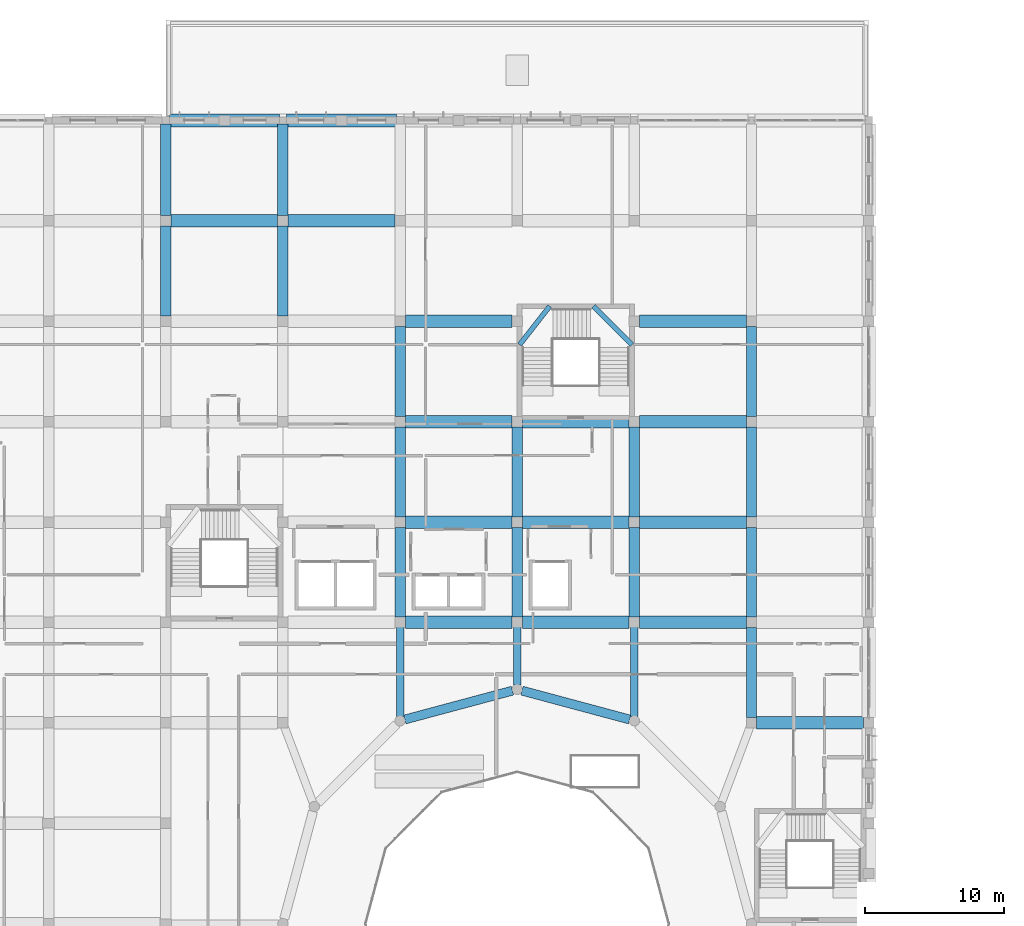
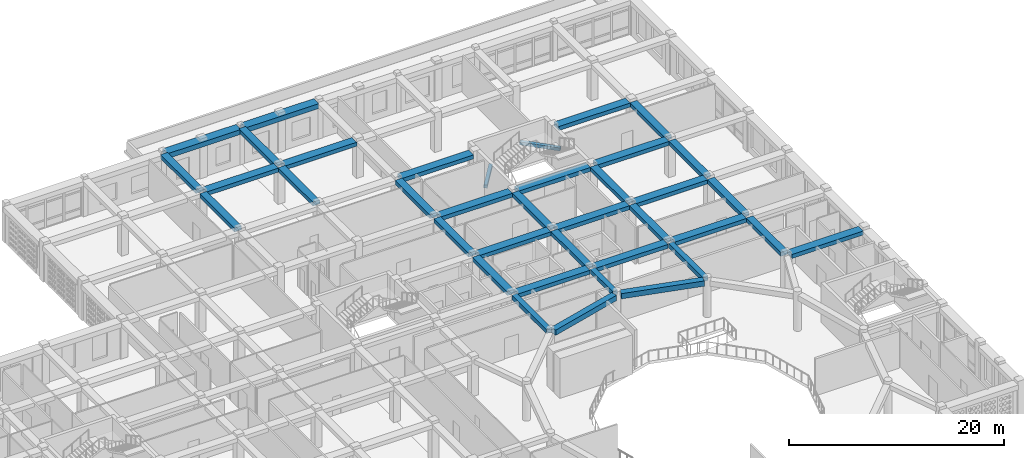
# One storey, part 36 of 111: 38 beams.
"""IFC4 building model written with IfcOpenShell, lengths in metres."""

from ifc_helpers import new_model, si_unit, derived_unit, direction, frame, origin, origin_2d, place, context, subcontext, project, spatial, rectangle, extrude, material, material_profile, profile_set, type_object, element, save


model = new_model("IFC4")

# Units and contexts
model_context = context("Model", 3, precision=1e-05, world=origin(), true_north=direction((0.0, 1.0)))
body_context = subcontext(model_context, "Body", "Model", "MODEL_VIEW")
ifc_project = project(units=[si_unit("LENGTHUNIT", "METRE"), si_unit("AREAUNIT", "SQUARE_METRE"), si_unit("VOLUMEUNIT", "CUBIC_METRE"), si_unit("PLANEANGLEUNIT", "RADIAN"), si_unit("MASSUNIT", "GRAM", prefix="KILO"), derived_unit("THERMALTRANSMITTANCEUNIT", [(si_unit("POWERUNIT", "WATT"), 1), (si_unit("LENGTHUNIT", "METRE"), -2), (si_unit("THERMODYNAMICTEMPERATUREUNIT", "KELVIN"), -1)])], contexts=[model_context])

# Site, building, storey
site_placement = place(None, origin())
site = spatial("IfcSite", under=ifc_project, at=site_placement, CompositionType="ELEMENT")
building_placement = place(site_placement, origin())
building = spatial("IfcBuilding", under=site, at=building_placement, Name="Veybourne Emporium", CompositionType="ELEMENT")
storey_placement = place(building_placement, frame((0.0, 0.0, 9.89990234375)))
storey = spatial("IfcBuildingStorey", under=building, at=storey_placement, Name="L02", CompositionType="ELEMENT", Elevation=9.89990234375)

# Beams
ifc_material = material(Name="Concrete C32/40", Category="concrete")
ifc_material_profile_1 = material_profile(ifc_material, rectangle(XDim=0.35009765625, YDim=0.35009765625, at=origin_2d()), Name="RC 350x350")
ifc_profile_set_1 = profile_set([ifc_material_profile_1], Name="Concrete C32/40")
beam_type_1 = type_object("IfcBeamType", Name="LandingBeam_LB-01", PredefinedType="BEAM", material=ifc_profile_set_1)
beam_1_placement = place(storey_placement, frame((75.77490234375, 91.919921875, 1.125), z_axis=(0.616103103005, 0.787665516871, 0.0), x_axis=(-0.787665516871, 0.616103103005, 0.0)))
element("IfcBeam", 1, at=beam_1_placement, inside=storey, type_object=beam_type_1, Name="L02 ST-04 landing 1 support beam", PredefinedType="BEAM", context=body_context, shape_type="SweptSolid", body=[
    extrude(rectangle(XDim=0.35009765625, YDim=0.35009765625, at=origin_2d()), origin(), (0.0, 0.0, 1.0), 3.497802734375),
])
beam_2_placement = place(storey_placement, frame((81.070068359375, 94.675048828125, 2.625), z_axis=(0.707075449606, -0.707138111379, 0.0), x_axis=(0.707138111379, 0.707075449606, 0.0)))
element("IfcBeam", 2, at=beam_2_placement, inside=storey, type_object=beam_type_1, Name="L02 ST-04 landing 2 support beam", PredefinedType="BEAM", context=body_context, shape_type="SweptSolid", body=[
    extrude(rectangle(XDim=0.35009765625, YDim=0.35009765625, at=origin_2d()), origin(), (0.0, 0.0, 1.0), 3.896240234375),
])
ifc_material_profile_2 = material_profile(ifc_material, rectangle(XDim=0.89990234375, YDim=0.449951171875, at=origin_2d()), Name="RC 900x450")
ifc_profile_set_2 = profile_set([ifc_material_profile_2], Name="Concrete C32/40")
beam_type_2 = type_object("IfcBeamType", Name="RCBeam_BB-03", PredefinedType="BEAM", material=ifc_profile_set_2)
beam_3_placement = place(storey_placement, frame((50.77490234375, 100.800048828125, 3.955078125), z_axis=(1.0, 0.0, 0.0), x_axis=(0.0, 1.0, 0.0)))
element("IfcBeam", 3, at=beam_3_placement, inside=storey, type_object=beam_type_2, Name="L02 X-grid beam BB-03 (6,14)", PredefinedType="BEAM", context=body_context, shape_type="SweptSolid", body=[
    extrude(rectangle(XDim=0.89990234375, YDim=0.449951171875, at=origin_2d()), origin(), (0.0, 0.0, 1.0), 7.650146484375),
])
beam_4_placement = place(storey_placement, frame((59.175048828125, 100.800048828125, 3.955078125), z_axis=(1.0, 0.0, 0.0), x_axis=(0.0, 1.0, 0.0)))
element("IfcBeam", 4, at=beam_4_placement, inside=storey, type_object=beam_type_2, Name="L02 X-grid beam BB-03 (7,14)", PredefinedType="BEAM", context=body_context, shape_type="SweptSolid", body=[
    extrude(rectangle(XDim=0.89990234375, YDim=0.449951171875, at=origin_2d()), origin(), (0.0, 0.0, 1.0), 7.64990234375),
])
for number, where, z_axis, x_axis, name in (
    (5, (67.574951171875, 72.0, 3.955078125), (1.0, 0.0, 0.0), (0.0, 1.0, 0.0), "L02 X-grid beam BB-03 (8,10)"),
    (6, (67.574951171875, 79.199951171875, 3.955078125), (1.0, 0.0, 0.0), (0.0, 1.0, 0.0), "L02 X-grid beam BB-03 (8,11)"),
    (7, (67.574951171875, 86.39990234375, 3.955078125), (1.0, 0.0, 0.0), (0.0, 1.0, 0.0), "L02 X-grid beam BB-03 (8,12)"),
    (8, (67.574951171875, 93.60009765625, 3.955078125), (1.0, 0.0, 0.0), (0.0, 1.0, 0.0), "L02 X-grid beam BB-03 (8,13)"),
):
    element("IfcBeam", number, at=place(storey_placement, frame(where, z_axis=z_axis, x_axis=x_axis)), inside=storey, type_object=beam_type_2, Name=name, PredefinedType="BEAM", context=body_context, shape_type="SweptSolid", body=[
        extrude(rectangle(XDim=0.89990234375, YDim=0.449951171875, at=origin_2d()), origin(), (0.0, 0.0, 1.0), 7.650146484375),
    ])
for number, where, z_axis, x_axis, name in (
    (9, (75.97509765625, 72.0, 3.955078125), (1.0, 0.0, 0.0), (0.0, 1.0, 0.0), "L02 X-grid beam BB-03 (9,10)"),
    (10, (75.97509765625, 79.199951171875, 3.955078125), (1.0, 0.0, 0.0), (0.0, 1.0, 0.0), "L02 X-grid beam BB-03 (9,11)"),
    (11, (75.97509765625, 86.39990234375, 3.955078125), (1.0, 0.0, 0.0), (0.0, 1.0, 0.0), "L02 X-grid beam BB-03 (9,12)"),
    (12, (84.375, 72.0, 3.955078125), (1.0, 0.0, 0.0), (0.0, 1.0, 0.0), "L02 X-grid beam BB-03 (10,10)"),
    (13, (84.375, 79.199951171875, 3.955078125), (1.0, 0.0, 0.0), (0.0, 1.0, 0.0), "L02 X-grid beam BB-03 (10,11)"),
    (14, (84.375, 86.39990234375, 3.955078125), (1.0, 0.0, 0.0), (0.0, 1.0, 0.0), "L02 X-grid beam BB-03 (10,12)"),
    (15, (84.375, 93.60009765625, 3.955078125), (1.0, 0.0, 0.0), (0.0, 1.0, 0.0), "L02 X-grid beam BB-03 (10,13)"),
):
    element("IfcBeam", number, at=place(storey_placement, frame(where, z_axis=z_axis, x_axis=x_axis)), inside=storey, type_object=beam_type_2, Name=name, PredefinedType="BEAM", context=body_context, shape_type="SweptSolid", body=[
        extrude(rectangle(XDim=0.89990234375, YDim=0.449951171875, at=origin_2d()), origin(), (0.0, 0.0, 1.0), 7.64990234375),
    ])
beam_5_placement = place(storey_placement, frame((92.77490234375, 64.800048828125, 3.955078125), z_axis=(1.0, 0.0, 0.0), x_axis=(0.0, 1.0, 0.0)))
element("IfcBeam", 16, at=beam_5_placement, inside=storey, type_object=beam_type_2, Name="L02 X-grid beam BB-03 (11,9)", PredefinedType="BEAM", context=body_context, shape_type="SweptSolid", body=[
    extrude(rectangle(XDim=0.89990234375, YDim=0.449951171875, at=origin_2d()), origin(), (0.0, 0.0, 1.0), 7.650146484375),
])
ifc_material_profile_3 = material_profile(ifc_material, rectangle(XDim=0.75, YDim=0.449951171875, at=origin_2d()), Name="RC 750x450")
ifc_profile_set_3 = profile_set([ifc_material_profile_3], Name="Concrete C32/40")
beam_type_3 = type_object("IfcBeamType", Name="RCBeam_BB-04", PredefinedType="BEAM", material=ifc_profile_set_3)
beam_6_placement = place(storey_placement, frame((50.39990234375, 93.97509765625, 3.955078125), z_axis=(0.0, 1.0, 0.0), x_axis=(-1.0, 0.0, 0.0)))
element("IfcBeam", 17, at=beam_6_placement, inside=storey, type_object=beam_type_3, Name="L02 Y-grid beam BB-04 (6,13)", PredefinedType="BEAM", context=body_context, shape_type="SweptSolid", body=[
    extrude(rectangle(XDim=0.75, YDim=0.449951171875, at=origin_2d()), origin(), (0.0, 0.0, 1.0), 6.449951171875),
])
beam_7_placement = place(storey_placement, frame((50.39990234375, 101.175048828125, 3.955078125), z_axis=(0.0, 1.0, 0.0), x_axis=(-1.0, 0.0, 0.0)))
element("IfcBeam", 18, at=beam_7_placement, inside=storey, type_object=beam_type_3, Name="L02 Y-grid beam BB-04 (6,14)", PredefinedType="BEAM", context=body_context, shape_type="SweptSolid", body=[
    extrude(rectangle(XDim=0.75, YDim=0.449951171875, at=origin_2d()), origin(), (0.0, 0.0, 1.0), 6.550048828125),
])
beam_8_placement = place(storey_placement, frame((58.800048828125, 93.97509765625, 3.955078125), z_axis=(0.0, 1.0, 0.0), x_axis=(-1.0, 0.0, 0.0)))
element("IfcBeam", 19, at=beam_8_placement, inside=storey, type_object=beam_type_3, Name="L02 Y-grid beam BB-04 (7,13)", PredefinedType="BEAM", context=body_context, shape_type="SweptSolid", body=[
    extrude(rectangle(XDim=0.75, YDim=0.449951171875, at=origin_2d()), origin(), (0.0, 0.0, 1.0), 6.449951171875),
])
beam_9_placement = place(storey_placement, frame((58.800048828125, 101.175048828125, 3.955078125), z_axis=(0.0, 1.0, 0.0), x_axis=(-1.0, 0.0, 0.0)))
element("IfcBeam", 20, at=beam_9_placement, inside=storey, type_object=beam_type_3, Name="L02 Y-grid beam BB-04 (7,14)", PredefinedType="BEAM", context=body_context, shape_type="SweptSolid", body=[
    extrude(rectangle(XDim=0.75, YDim=0.449951171875, at=origin_2d()), origin(), (0.0, 0.0, 1.0), 6.574951171875),
])
for number, where, z_axis, x_axis, name in (
    (21, (67.199951171875, 72.375, 3.955078125), (0.0, 1.0, 0.0), (-1.0, 0.0, 0.0), "L02 Y-grid beam BB-04 (8,10)"),
    (22, (67.199951171875, 79.574951171875, 3.955078125), (0.0, 1.0, 0.0), (-1.0, 0.0, 0.0), "L02 Y-grid beam BB-04 (8,11)"),
):
    element("IfcBeam", number, at=place(storey_placement, frame(where, z_axis=z_axis, x_axis=x_axis)), inside=storey, type_object=beam_type_3, Name=name, PredefinedType="BEAM", context=body_context, shape_type="SweptSolid", body=[
        extrude(rectangle(XDim=0.75, YDim=0.449951171875, at=origin_2d()), origin(), (0.0, 0.0, 1.0), 6.449951171875),
    ])
beam_10_placement = place(storey_placement, frame((67.199951171875, 86.77490234375, 3.955078125), z_axis=(0.0, 1.0, 0.0), x_axis=(-1.0, 0.0, 0.0)))
element("IfcBeam", 23, at=beam_10_placement, inside=storey, type_object=beam_type_3, Name="L02 Y-grid beam BB-04 (8,12)", PredefinedType="BEAM", context=body_context, shape_type="SweptSolid", body=[
    extrude(rectangle(XDim=0.75, YDim=0.449951171875, at=origin_2d()), origin(), (0.0, 0.0, 1.0), 6.4501953125),
])
for number, where, z_axis, x_axis, name in (
    (24, (75.60009765625, 72.375, 3.955078125), (0.0, 1.0, 0.0), (-1.0, 0.0, 0.0), "L02 Y-grid beam BB-04 (9,10)"),
    (25, (75.60009765625, 79.574951171875, 3.955078125), (0.0, 1.0, 0.0), (-1.0, 0.0, 0.0), "L02 Y-grid beam BB-04 (9,11)"),
    (26, (84.0, 72.375, 3.955078125), (0.0, 1.0, 0.0), (-1.0, 0.0, 0.0), "L02 Y-grid beam BB-04 (10,10)"),
    (27, (84.0, 79.574951171875, 3.955078125), (0.0, 1.0, 0.0), (-1.0, 0.0, 0.0), "L02 Y-grid beam BB-04 (10,11)"),
    (28, (92.39990234375, 65.175048828125, 3.955078125), (0.0, 1.0, 0.0), (-1.0, 0.0, 0.0), "L02 Y-grid beam BB-04 (11,9)"),
    (29, (92.39990234375, 72.375, 3.955078125), (0.0, 1.0, 0.0), (-1.0, 0.0, 0.0), "L02 Y-grid beam BB-04 (11,10)"),
    (30, (92.39990234375, 79.574951171875, 3.955078125), (0.0, 1.0, 0.0), (-1.0, 0.0, 0.0), "L02 Y-grid beam BB-04 (11,11)"),
):
    element("IfcBeam", number, at=place(storey_placement, frame(where, z_axis=z_axis, x_axis=x_axis)), inside=storey, type_object=beam_type_3, Name=name, PredefinedType="BEAM", context=body_context, shape_type="SweptSolid", body=[
        extrude(rectangle(XDim=0.75, YDim=0.449951171875, at=origin_2d()), origin(), (0.0, 0.0, 1.0), 6.449951171875),
    ])
beam_11_placement = place(storey_placement, frame((92.39990234375, 86.77490234375, 3.955078125), z_axis=(0.0, 1.0, 0.0), x_axis=(-1.0, 0.0, 0.0)))
element("IfcBeam", 31, at=beam_11_placement, inside=storey, type_object=beam_type_3, Name="L02 Y-grid beam BB-04 (11,12)", PredefinedType="BEAM", context=body_context, shape_type="SweptSolid", body=[
    extrude(rectangle(XDim=0.75, YDim=0.449951171875, at=origin_2d()), origin(), (0.0, 0.0, 1.0), 6.4501953125),
])
ifc_material_profile_4 = material_profile(ifc_material, rectangle(XDim=0.949951171875, YDim=0.550048828125, at=origin_2d()), Name="RC 950x550")
ifc_profile_set_4 = profile_set([ifc_material_profile_4], Name="Concrete C32/40")
beam_type_4 = type_object("IfcBeamType", Name="RCBeam_EB-01", PredefinedType="SPANDREL", material=ifc_profile_set_4)
for number, where, z_axis, x_axis, name in (
    (32, (50.675048828125, 108.0, 3.905029296875), (1.0, 0.0, 0.0), (0.0, 1.0, 0.0), "L02 X-grid beam EB-01 (6,15)"),
    (33, (59.050048828125, 108.0, 3.905029296875), (1.0, 0.0, 0.0), (0.0, 1.0, 0.0), "L02 X-grid beam EB-01 (7,15)"),
):
    element("IfcBeam", number, at=place(storey_placement, frame(where, z_axis=z_axis, x_axis=x_axis)), inside=storey, type_object=beam_type_4, Name=name, PredefinedType="SPANDREL", context=body_context, shape_type="SweptSolid", body=[
        extrude(rectangle(XDim=0.949951171875, YDim=0.550048828125, at=origin_2d()), origin(), (0.0, 0.0, 1.0), 7.875),
    ])
ifc_material_profile_5 = material_profile(ifc_material, rectangle(XDim=0.64990234375, YDim=0.60009765625, at=origin_2d()), Name="RC 650x600")
ifc_profile_set_5 = profile_set([ifc_material_profile_5], Name="Concrete C32/40")
beam_type_5 = type_object("IfcBeamType", Name="RCBeam_EB-02", PredefinedType="BEAM", material=ifc_profile_set_5)
for number, where, z_axis, x_axis, name in (
    (34, (83.656982421875, 65.041015625, 3.880126953125), (-0.965921169043, 0.258836425556, 0.0), (-0.258836425556, -0.965921169043, 0.0), "Atrium ring beam EB-02 L02-03"),
    (35, (75.257080078125, 67.108154296875, 3.880126953125), (-0.965921169043, -0.258836425556, 0.0), (0.258836425556, -0.965921169043, 0.0), "Atrium ring beam EB-02 L02-04"),
):
    element("IfcBeam", number, at=place(storey_placement, frame(where, z_axis=z_axis, x_axis=x_axis)), inside=storey, type_object=beam_type_5, Name=name, PredefinedType="BEAM", context=body_context, shape_type="SweptSolid", body=[
        extrude(rectangle(XDim=0.64990234375, YDim=0.60009765625, at=origin_2d()), origin(), (0.0, 0.0, 1.0), 7.986328125),
    ])
ifc_material_profile_6 = material_profile(ifc_material, rectangle(XDim=0.550048828125, YDim=0.5, at=origin_2d()), Name="RC 550x500")
ifc_profile_set_6 = profile_set([ifc_material_profile_6], Name="Concrete C32/40")
beam_type_6 = type_object("IfcBeamType", Name="RCBeam_TB-01", PredefinedType="BEAM", material=ifc_profile_set_6)
beam_12_placement = place(storey_placement, frame((84.0, 65.26416015625, 3.93017578125), z_axis=(0.0, 1.0, 0.0), x_axis=(-1.0, 0.0, 0.0)))
element("IfcBeam", 36, at=beam_12_placement, inside=storey, type_object=beam_type_6, Name="Atrium radial tie beam L02-03", PredefinedType="BEAM", context=body_context, shape_type="SweptSolid", body=[
    extrude(rectangle(XDim=0.550048828125, YDim=0.5, at=origin_2d()), origin(), (0.0, 0.0, 1.0), 6.4208984375),
])
beam_13_placement = place(storey_placement, frame((75.60009765625, 67.514892578125, 3.93017578125), z_axis=(0.0, 1.0, 0.0), x_axis=(-1.0, 0.0, 0.0)))
element("IfcBeam", 37, at=beam_13_placement, inside=storey, type_object=beam_type_6, Name="Atrium radial tie beam L02-04", PredefinedType="BEAM", context=body_context, shape_type="SweptSolid", body=[
    extrude(rectangle(XDim=0.550048828125, YDim=0.5, at=origin_2d()), origin(), (0.0, 0.0, 1.0), 4.170166015625),
])
beam_14_placement = place(storey_placement, frame((67.199951171875, 65.26416015625, 3.93017578125), z_axis=(0.0, 1.0, 0.0), x_axis=(-1.0, 0.0, 0.0)))
element("IfcBeam", 38, at=beam_14_placement, inside=storey, type_object=beam_type_6, Name="Atrium radial tie beam L02-05", PredefinedType="BEAM", context=body_context, shape_type="SweptSolid", body=[
    extrude(rectangle(XDim=0.550048828125, YDim=0.5, at=origin_2d()), origin(), (0.0, 0.0, 1.0), 6.4208984375),
])

save(model, "model.ifc")
